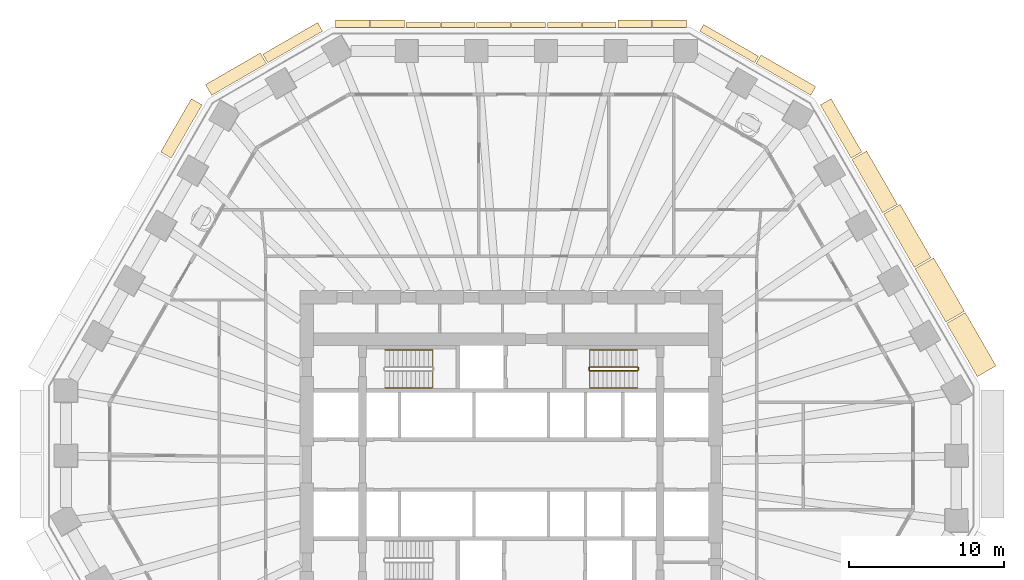
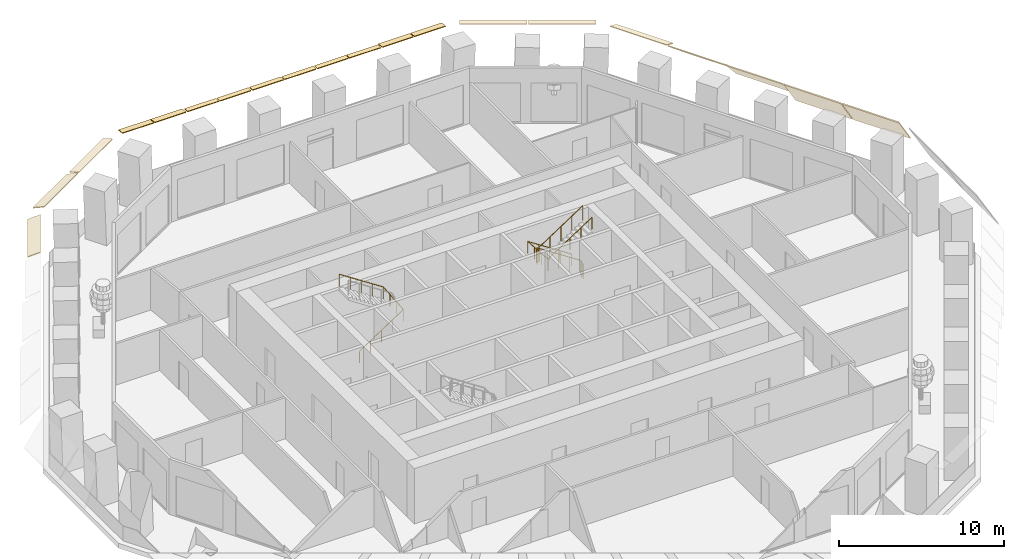
# One storey, part 11 of 13: 20 coverings, 3 railings.
"""IFC4 building model written with IfcOpenShell, lengths in metres."""

from ifc_helpers import new_model, si_unit, direction, frame, origin, origin_2d, place, context, subcontext, project, spatial, polyline, circle, outline, extrude, material, layer, layer_set, type_object, element, save


model = new_model("IFC4")

# Units and contexts
model_context = context("Model", 3, precision=1e-05, world=origin(), true_north=direction((0.0, 1.0)))
body_context = subcontext(model_context, "Body", "Model", "MODEL_VIEW")
ifc_project = project(units=[si_unit("LENGTHUNIT", "METRE"), si_unit("AREAUNIT", "SQUARE_METRE"), si_unit("VOLUMEUNIT", "CUBIC_METRE"), si_unit("PLANEANGLEUNIT", "RADIAN"), si_unit("MASSUNIT", "GRAM", prefix="KILO")], contexts=[model_context])

# Site, building, storey
site_placement = place(None, origin())
site = spatial("IfcSite", under=ifc_project, at=site_placement, CompositionType="ELEMENT")
building_placement = place(site_placement, origin())
building = spatial("IfcBuilding", under=site, at=building_placement, Name="Frailejon Research Tower", CompositionType="ELEMENT")
storey_placement = place(building_placement, frame((0.0, 0.0, 32.199951171875)))
storey = spatial("IfcBuildingStorey", under=building, at=storey_placement, Name="L07", CompositionType="ELEMENT", Elevation=32.199951171875)

# Coverings
ifc_material_1 = material(Name="Precast concrete C50/60", Category="concrete")
ifc_layer_1 = layer(ifc_material_1, 0.06005859375)
ifc_layer_set_1 = layer_set([ifc_layer_1], Name="Brim blade depth 1100")
covering_type_1 = type_object("IfcCoveringType", Name="Brim blade depth 1100", PredefinedType="CLADDING", material=ifc_layer_set_1)
covering_1_placement = place(storey_placement, frame((21.991455078125, 19.6923828125, 4.25), z_axis=(0.500010829996, -0.866019150993, 0.0), x_axis=(0.866019150993, 0.500010829996, 0.0)))
element("IfcCovering", 1, at=covering_1_placement, inside=storey, type_object=covering_type_1, Name="Brim blade L07", PredefinedType="CLADDING", context=body_context, shape_type="SweptSolid", body=[
    extrude(outline(polyline([(0.0, -0.078369140625), (1.10009765625, -1.001220703125), (1.10009765625, -0.923095703125), (0.0, 0.0), (0.0, -0.078369140625)])), origin(), (0.0, 0.0, 1.0), 3.972412109375),
])
ifc_material_2 = material(Name="Precast concrete C50/60", Category="concrete")
ifc_layer_2 = layer(ifc_material_2, 0.06005859375)
ifc_layer_set_2 = layer_set([ifc_layer_2], Name="Brim blade depth 1250")
covering_type_2 = type_object("IfcCoveringType", Name="Brim blade depth 1250", PredefinedType="CLADDING", material=ifc_layer_set_2)
covering_2_placement = place(storey_placement, frame((24.027587890625, 16.165771484375, 4.25), z_axis=(0.499992413042, -0.866029784072, 0.0), x_axis=(0.866029784072, 0.499992413042, 0.0)))
element("IfcCovering", 2, at=covering_2_placement, inside=storey, type_object=covering_type_2, Name="Brim blade L07", PredefinedType="CLADDING", context=body_context, shape_type="SweptSolid", body=[
    extrude(outline(polyline([(0.0, -0.0888671875), (1.25, -1.452880859375), (1.25, -1.364013671875), (0.0, 0.0), (0.0, -0.0888671875)])), origin(), (0.0, 0.0, 1.0), 3.972412109375),
])
ifc_material_3 = material(Name="Precast concrete C50/60", Category="concrete")
ifc_layer_3 = layer(ifc_material_3, 0.06005859375)
ifc_layer_set_3 = layer_set([ifc_layer_3], Name="Brim blade depth 1400")
covering_type_3 = type_object("IfcCoveringType", Name="Brim blade depth 1400", PredefinedType="CLADDING", material=ifc_layer_set_3)
for number, where, z_axis, x_axis, name in (
    (3, (28.099853515625, 9.1123046875, 4.25), (0.500010829996, -0.866019150993, 0.0), (0.866019150993, 0.500010829996, 0.0), "Brim blade L07"),
    (4, (26.063720703125, 12.638916015625, 4.25), (0.499992413042, -0.866029784072, 0.0), (0.866029784072, 0.499992413042, 0.0), "Brim blade L07"),
):
    element("IfcCovering", number, at=place(storey_placement, frame(where, z_axis=z_axis, x_axis=x_axis)), inside=storey, type_object=covering_type_3, Name=name, PredefinedType="CLADDING", context=body_context, shape_type="SweptSolid", body=[
        extrude(outline(polyline([(0.0, -0.1044921875), (1.39990234375, -2.10400390625), (1.39990234375, -1.99951171875), (0.0, 0.0), (0.0, -0.1044921875)])), origin(), (0.0, 0.0, 1.0), 3.972412109375),
    ])
ifc_material_4 = material(Name="Precast concrete C50/60", Category="concrete")
ifc_layer_4 = layer(ifc_material_4, 0.06005859375)
ifc_layer_set_4 = layer_set([ifc_layer_4], Name="Brim blade depth 350")
covering_type_4 = type_object("IfcCoveringType", Name="Brim blade depth 350", PredefinedType="CLADDING", material=ifc_layer_set_4)
for number, where, z_axis, x_axis, name in (
    (5, (4.581298828125, 28.199951171875, 4.25), (1.0, 0.0, 0.0), (0.0, 1.0, 0.0), "Brim blade L07"),
    (6, (2.32568359375, 28.199951171875, 4.25), (1.0, 0.0, 0.0), (0.0, 1.0, 0.0), "Brim blade L07"),
):
    element("IfcCovering", number, at=place(storey_placement, frame(where, z_axis=z_axis, x_axis=x_axis)), inside=storey, type_object=covering_type_4, Name=name, PredefinedType="CLADDING", context=body_context, shape_type="SweptSolid", body=[
        extrude(outline(polyline([(0.0, -0.06005859375), (0.35009765625, -0.06005859375), (0.35009765625, 0.0), (0.0, 0.0), (0.0, -0.06005859375)])), origin(), (0.0, 0.0, 1.0), 2.19580078125),
    ])
for number, where, z_axis, x_axis, name in (
    (7, (0.030029296875, 28.199951171875, 4.25), (1.0, 0.0, 0.0), (0.0, 1.0, 0.0), "Brim blade L07"),
    (8, (-2.2255859375, 28.199951171875, 4.25), (1.0, 0.0, 0.0), (0.0, 1.0, 0.0), "Brim blade L07"),
):
    element("IfcCovering", number, at=place(storey_placement, frame(where, z_axis=z_axis, x_axis=x_axis)), inside=storey, type_object=covering_type_4, Name=name, PredefinedType="CLADDING", context=body_context, shape_type="SweptSolid", body=[
        extrude(outline(polyline([(0.0, -0.06005859375), (0.35009765625, -0.06005859375), (0.35009765625, 0.0), (0.0, 0.0), (0.0, -0.06005859375)])), origin(), (0.0, 0.0, 1.0), 2.195556640625),
    ])
for number, where, z_axis, x_axis, name in (
    (9, (-4.521240234375, 28.199951171875, 4.25), (1.0, 0.0, 0.0), (0.0, 1.0, 0.0), "Brim blade L07"),
    (10, (-6.77685546875, 28.199951171875, 4.25), (1.0, 0.0, 0.0), (0.0, 1.0, 0.0), "Brim blade L07"),
):
    element("IfcCovering", number, at=place(storey_placement, frame(where, z_axis=z_axis, x_axis=x_axis)), inside=storey, type_object=covering_type_4, Name=name, PredefinedType="CLADDING", context=body_context, shape_type="SweptSolid", body=[
        extrude(outline(polyline([(0.0, -0.06005859375), (0.35009765625, -0.06005859375), (0.35009765625, 0.0), (0.0, 0.0), (0.0, -0.06005859375)])), origin(), (0.0, 0.0, 1.0), 2.19580078125),
    ])
ifc_material_5 = material(Name="Precast concrete C50/60", Category="concrete")
ifc_layer_5 = layer(ifc_material_5, 0.06005859375)
ifc_layer_set_5 = layer_set([ifc_layer_5], Name="Brim blade depth 500")
covering_type_5 = type_object("IfcCoveringType", Name="Brim blade depth 500", PredefinedType="CLADDING", material=ifc_layer_set_5)
covering_3_placement = place(storey_placement, frame((12.17138671875, 27.97412109375, 4.25), z_axis=(0.866021344981, -0.500007029989, 0.0), x_axis=(0.500007029989, 0.866021344981, 0.0)))
element("IfcCovering", 11, at=covering_3_placement, inside=storey, type_object=covering_type_5, Name="Brim blade L07", PredefinedType="CLADDING", context=body_context, shape_type="SweptSolid", body=[
    extrude(outline(polyline([(0.0, -0.060546875), (0.5, -0.130859375), (0.5, -0.0703125), (0.0, 0.0), (0.0, -0.060546875)])), origin(), (0.0, 0.0, 1.0), 4.08740234375),
])
for number, where, z_axis, x_axis, name in (
    (12, (9.132568359375, 28.199951171875, 4.25), (1.0, 0.0, 0.0), (0.0, 1.0, 0.0), "Brim blade L07"),
    (13, (6.876953125, 28.199951171875, 4.25), (1.0, 0.0, 0.0), (0.0, 1.0, 0.0), "Brim blade L07"),
    (14, (-9.072509765625, 28.199951171875, 4.25), (1.0, 0.0, 0.0), (0.0, 1.0, 0.0), "Brim blade L07"),
    (15, (-11.328125, 28.199951171875, 4.25), (1.0, 0.0, 0.0), (0.0, 1.0, 0.0), "Brim blade L07"),
):
    element("IfcCovering", number, at=place(storey_placement, frame(where, z_axis=z_axis, x_axis=x_axis)), inside=storey, type_object=covering_type_5, Name=name, PredefinedType="CLADDING", context=body_context, shape_type="SweptSolid", body=[
        extrude(outline(polyline([(0.0, -0.060546875), (0.5, -0.130859375), (0.5, -0.0703125), (0.0, 0.0), (0.0, -0.060546875)])), origin(), (0.0, 0.0, 1.0), 2.19580078125),
    ])
ifc_material_6 = material(Name="Precast concrete C50/60", Category="concrete")
ifc_layer_6 = layer(ifc_material_6, 0.06005859375)
ifc_layer_set_6 = layer_set([ifc_layer_6], Name="Brim blade depth 650")
covering_type_6 = type_object("IfcCoveringType", Name="Brim blade depth 650", PredefinedType="CLADDING", material=ifc_layer_set_6)
covering_4_placement = place(storey_placement, frame((15.798095703125, 25.880126953125, 4.25), z_axis=(0.866027315287, -0.499996689166, 0.0), x_axis=(0.499996689166, 0.866027315287, 0.0)))
element("IfcCovering", 16, at=covering_4_placement, inside=storey, type_object=covering_type_6, Name="Brim blade L07", PredefinedType="CLADDING", context=body_context, shape_type="SweptSolid", body=[
    extrude(outline(polyline([(0.0, -0.0625), (0.64990234375, -0.248779296875), (0.64990234375, -0.186279296875), (0.0, 0.0), (0.0, -0.0625)])), origin(), (0.0, 0.0, 1.0), 4.087646484375),
])
covering_5_placement = place(storey_placement, frame((-15.71142578125, 25.93017578125, 4.25), z_axis=(0.866021344981, 0.500007029989, 0.0), x_axis=(-0.500007029989, 0.866021344981, 0.0)))
element("IfcCovering", 17, at=covering_5_placement, inside=storey, type_object=covering_type_6, Name="Brim blade L07", PredefinedType="CLADDING", context=body_context, shape_type="SweptSolid", body=[
    extrude(outline(polyline([(0.0, -0.0625), (0.64990234375, -0.248779296875), (0.64990234375, -0.186279296875), (0.0, 0.0), (0.0, -0.0625)])), origin(), (0.0, 0.0, 1.0), 4.08740234375),
])
ifc_material_7 = material(Name="Precast concrete C50/60", Category="concrete")
ifc_layer_7 = layer(ifc_material_7, 0.06005859375)
ifc_layer_set_7 = layer_set([ifc_layer_7], Name="Brim blade depth 800")
covering_type_7 = type_object("IfcCoveringType", Name="Brim blade depth 800", PredefinedType="CLADDING", material=ifc_layer_set_7)
covering_6_placement = place(storey_placement, frame((19.955322265625, 23.218994140625, 4.25), z_axis=(0.499992413042, -0.866029784072, 0.0), x_axis=(0.866029784072, 0.499992413042, 0.0)))
element("IfcCovering", 18, at=covering_6_placement, inside=storey, type_object=covering_type_7, Name="Brim blade L07", PredefinedType="CLADDING", context=body_context, shape_type="SweptSolid", body=[
    extrude(outline(polyline([(0.0, -0.065673828125), (0.800048828125, -0.421875), (0.800048828125, -0.356201171875), (0.0, 0.0), (0.0, -0.065673828125)])), origin(), (0.0, 0.0, 1.0), 3.972412109375),
])
covering_7_placement = place(storey_placement, frame((-19.337890625, 23.83642578125, 4.25), z_axis=(0.866027315287, 0.499996689166, 0.0), x_axis=(-0.499996689166, 0.866027315287, 0.0)))
element("IfcCovering", 19, at=covering_7_placement, inside=storey, type_object=covering_type_7, Name="Brim blade L07", PredefinedType="CLADDING", context=body_context, shape_type="SweptSolid", body=[
    extrude(outline(polyline([(0.0, -0.065673828125), (0.800048828125, -0.421875), (0.800048828125, -0.356201171875), (0.0, 0.0), (0.0, -0.065673828125)])), origin(), (0.0, 0.0, 1.0), 4.087646484375),
])
covering_8_placement = place(storey_placement, frame((-21.94140625, 19.779052734375, 4.25), z_axis=(0.499992413042, 0.866029784072, 0.0), x_axis=(-0.866029784072, 0.499992413042, 0.0)))
element("IfcCovering", 20, at=covering_8_placement, inside=storey, type_object=covering_type_7, Name="Brim blade L07", PredefinedType="CLADDING", context=body_context, shape_type="SweptSolid", body=[
    extrude(outline(polyline([(0.0, -0.065673828125), (0.800048828125, -0.421875), (0.800048828125, -0.356201171875), (0.0, 0.0), (0.0, -0.065673828125)])), origin(), (0.0, 0.0, 1.0), 3.972412109375),
])

# Railings
ifc_material_8 = material(Name="Stainless steel", Category="steel")
railing_type_1 = type_object("IfcRailingType", Name="Stair guard 1100", PredefinedType="GUARDRAIL", material=ifc_material_8)
railing_1_placement = place(storey_placement, frame((8.199951171875, 6.10009765625, 0.0)))
element("IfcRailing", 21, at=railing_1_placement, inside=storey, type_object=railing_type_1, Name="L07 ST3 stair guard 1", PredefinedType="GUARDRAIL", context=body_context, shape_type="SweptSolid", body=[
    extrude(circle(Radius=0.02392578125, at=origin_2d()), frame((0.0, 0.0, 1.076171875), z_axis=(0.0, 1.0, 0.0), x_axis=(-1.0, 0.0, 0.0)), (0.0, 0.0, 1.0), 0.14990234375),
    extrude(circle(Radius=0.02392578125, at=origin_2d()), frame((0.0, 0.14990234375, 1.076171875), z_axis=(-0.254653276557, 0.254653276557, 0.932900539971), x_axis=(-0.707106781187, -0.707106781187, 0.0)), (0.0, 0.0, 1.0), 0.196533203125),
    extrude(circle(Radius=0.02392578125, at=origin_2d()), frame((-0.050048828125, 0.199951171875, 1.25927734375), z_axis=(-0.836613101238, 0.0, 0.547794230379), x_axis=(0.0, -1.0, 0.0)), (0.0, 0.0, 1.0), 3.681396484375),
    extrude(circle(Radius=0.02392578125, at=origin_2d()), frame((-3.1298828125, 0.199951171875, 3.27587890625), z_axis=(-0.707106781187, -0.707106781187, 0.0), x_axis=(0.707106781187, -0.707106781187, 0.0)), (0.0, 0.0, 1.0), 0.07080078125),
    extrude(circle(Radius=0.02392578125, at=origin_2d()), frame((-3.179931640625, 0.14990234375, 3.27587890625), z_axis=(0.0, -1.0, 0.0), x_axis=(1.0, 0.0, 0.0)), (0.0, 0.0, 1.0), 0.14990234375),
    extrude(circle(Radius=0.02392578125, at=origin_2d()), frame((-3.179931640625, 0.0, 3.27587890625), z_axis=(0.254653276557, -0.254653276557, 0.932900539971), x_axis=(0.707106781187, 0.707106781187, 0.0)), (0.0, 0.0, 1.0), 0.196533203125),
    extrude(circle(Radius=0.02392578125, at=origin_2d()), frame((-3.1298828125, -0.050048828125, 3.45947265625), z_axis=(0.836582707638, 0.0, 0.547840645882), x_axis=(0.0, 1.0, 0.0)), (0.0, 0.0, 1.0), 3.681396484375),
    extrude(circle(Radius=0.02099609375, at=origin_2d()), origin(), (0.0, 0.0, 1.0), 1.052001953125),
    extrude(circle(Radius=0.02099609375, at=origin_2d()), frame((0.0, 0.14990234375, 0.0)), (0.0, 0.0, 1.0), 1.052001953125),
    extrude(circle(Radius=0.02099609375, at=origin_2d()), frame((-0.050048828125, 0.199951171875, 0.183349609375)), (0.0, 0.0, 1.0), 1.052001953125),
    extrude(circle(Radius=0.02099609375, at=origin_2d()), frame((-0.820068359375, 0.199951171875, 0.6875)), (0.0, 0.0, 1.0), 1.052001953125),
    extrude(circle(Radius=0.02099609375, at=origin_2d()), frame((-1.58984375, 0.199951171875, 1.191650390625)), (0.0, 0.0, 1.0), 1.052001953125),
    extrude(circle(Radius=0.02099609375, at=origin_2d()), frame((-2.35986328125, 0.199951171875, 1.69580078125)), (0.0, 0.0, 1.0), 1.052001953125),
    extrude(circle(Radius=0.02099609375, at=origin_2d()), frame((-3.1298828125, 0.199951171875, 2.199951171875)), (0.0, 0.0, 1.0), 1.052001953125),
    extrude(circle(Radius=0.02099609375, at=origin_2d()), frame((-3.179931640625, 0.14990234375, 2.199951171875)), (0.0, 0.0, 1.0), 1.052001953125),
    extrude(circle(Radius=0.02099609375, at=origin_2d()), frame((-3.179931640625, 0.0, 2.199951171875)), (0.0, 0.0, 1.0), 1.052001953125),
    extrude(circle(Radius=0.02099609375, at=origin_2d()), frame((-3.1298828125, -0.050048828125, 2.38330078125)), (0.0, 0.0, 1.0), 1.052001953125),
    extrude(circle(Radius=0.02099609375, at=origin_2d()), frame((-2.35986328125, -0.050048828125, 2.887451171875)), (0.0, 0.0, 1.0), 1.052001953125),
    extrude(circle(Radius=0.02099609375, at=origin_2d()), frame((-1.58984375, -0.050048828125, 3.3916015625)), (0.0, 0.0, 1.0), 1.052001953125),
    extrude(circle(Radius=0.02099609375, at=origin_2d()), frame((-0.820068359375, -0.050048828125, 3.89599609375)), (0.0, 0.0, 1.0), 1.052001953125),
    extrude(circle(Radius=0.02099609375, at=origin_2d()), frame((-0.050048828125, -0.050048828125, 4.400146484375)), (0.0, 0.0, 1.0), 1.052001953125),
])
ifc_material_9 = material(Name="Stainless steel", Category="steel")
railing_type_2 = type_object("IfcRailingType", Name="Stair handrail 900", PredefinedType="HANDRAIL", material=ifc_material_9)
railing_2_placement = place(storey_placement, frame((-8.14990234375, 4.949951171875, 0.183349609375)))
element("IfcRailing", 22, at=railing_2_placement, inside=storey, type_object=railing_type_2, Name="L07 ST1 stair handrail 1", PredefinedType="HANDRAIL", context=body_context, shape_type="SweptSolid", body=[
    extrude(circle(Radius=0.02392578125, at=origin_2d()), frame((0.0, 0.0, 0.8759765625), z_axis=(0.836613101238, 0.0, 0.547794230379), x_axis=(0.0, 1.0, 0.0)), (0.0, 0.0, 1.0), 3.681396484375),
    extrude(circle(Radius=0.02392578125, at=origin_2d()), frame((3.079833984375, 0.0, 2.892578125), z_axis=(0.0, 0.99721134034, 0.074629368868), x_axis=(-1.0, 0.0, 0.0)), (0.0, 0.0, 1.0), 2.456787109375),
    extrude(circle(Radius=0.02392578125, at=origin_2d()), frame((3.079833984375, 2.449951171875, 3.07568359375), z_axis=(-0.836582707638, 0.0, 0.547840645882), x_axis=(0.0, -1.0, 0.0)), (0.0, 0.0, 1.0), 3.681396484375),
    extrude(circle(Radius=0.02099609375, at=origin_2d()), origin(), (0.0, 0.0, 1.0), 0.851806640625),
    extrude(circle(Radius=0.02099609375, at=origin_2d()), frame((0.77001953125, 0.0, 0.504150390625)), (0.0, 0.0, 1.0), 0.851806640625),
    extrude(circle(Radius=0.02099609375, at=origin_2d()), frame((1.5400390625, 0.0, 1.00830078125)), (0.0, 0.0, 1.0), 0.851806640625),
    extrude(circle(Radius=0.02099609375, at=origin_2d()), frame((2.309814453125, 0.0, 1.512451171875)), (0.0, 0.0, 1.0), 0.851806640625),
    extrude(circle(Radius=0.02099609375, at=origin_2d()), frame((3.079833984375, 0.0, 2.0166015625)), (0.0, 0.0, 1.0), 0.851806640625),
    extrude(circle(Radius=0.02099609375, at=origin_2d()), frame((3.079833984375, 0.816650390625, 2.07763671875)), (0.0, 0.0, 1.0), 0.851806640625),
    extrude(circle(Radius=0.02099609375, at=origin_2d()), frame((3.079833984375, 1.63330078125, 2.138916015625)), (0.0, 0.0, 1.0), 0.851806640625),
    extrude(circle(Radius=0.02099609375, at=origin_2d()), frame((3.079833984375, 2.449951171875, 2.199951171875)), (0.0, 0.0, 1.0), 0.851806640625),
    extrude(circle(Radius=0.02099609375, at=origin_2d()), frame((2.309814453125, 2.449951171875, 2.7041015625)), (0.0, 0.0, 1.0), 0.851806640625),
    extrude(circle(Radius=0.02099609375, at=origin_2d()), frame((1.5400390625, 2.449951171875, 3.20849609375)), (0.0, 0.0, 1.0), 0.851806640625),
    extrude(circle(Radius=0.02099609375, at=origin_2d()), frame((0.77001953125, 2.449951171875, 3.712646484375)), (0.0, 0.0, 1.0), 0.851806640625),
    extrude(circle(Radius=0.02099609375, at=origin_2d()), frame((0.0, 2.449951171875, 4.216796875)), (0.0, 0.0, 1.0), 0.851806640625),
])
railing_3_placement = place(storey_placement, frame((8.14990234375, 7.39990234375, 0.183349609375)))
element("IfcRailing", 23, at=railing_3_placement, inside=storey, type_object=railing_type_2, Name="L07 ST3 stair handrail 1", PredefinedType="HANDRAIL", context=body_context, shape_type="SweptSolid", body=[
    extrude(circle(Radius=0.02392578125, at=origin_2d()), frame((0.0, 0.0, 0.8759765625), z_axis=(-0.836613101238, 0.0, 0.547794230379), x_axis=(0.0, -1.0, 0.0)), (0.0, 0.0, 1.0), 3.681396484375),
    extrude(circle(Radius=0.02392578125, at=origin_2d()), frame((-3.079833984375, 0.0, 2.892578125), z_axis=(0.0, -0.99721134034, 0.074629368868), x_axis=(1.0, 0.0, 0.0)), (0.0, 0.0, 1.0), 2.456787109375),
    extrude(circle(Radius=0.02392578125, at=origin_2d()), frame((-3.079833984375, -2.449951171875, 3.07568359375), z_axis=(0.836582707638, 0.0, 0.547840645882), x_axis=(0.0, 1.0, 0.0)), (0.0, 0.0, 1.0), 3.681396484375),
    extrude(circle(Radius=0.02099609375, at=origin_2d()), origin(), (0.0, 0.0, 1.0), 0.851806640625),
    extrude(circle(Radius=0.02099609375, at=origin_2d()), frame((-0.77001953125, 0.0, 0.504150390625)), (0.0, 0.0, 1.0), 0.851806640625),
    extrude(circle(Radius=0.02099609375, at=origin_2d()), frame((-1.5400390625, 0.0, 1.00830078125)), (0.0, 0.0, 1.0), 0.851806640625),
    extrude(circle(Radius=0.02099609375, at=origin_2d()), frame((-2.309814453125, 0.0, 1.512451171875)), (0.0, 0.0, 1.0), 0.851806640625),
    extrude(circle(Radius=0.02099609375, at=origin_2d()), frame((-3.079833984375, 0.0, 2.0166015625)), (0.0, 0.0, 1.0), 0.851806640625),
    extrude(circle(Radius=0.02099609375, at=origin_2d()), frame((-3.079833984375, -0.816650390625, 2.07763671875)), (0.0, 0.0, 1.0), 0.851806640625),
    extrude(circle(Radius=0.02099609375, at=origin_2d()), frame((-3.079833984375, -1.63330078125, 2.138916015625)), (0.0, 0.0, 1.0), 0.851806640625),
    extrude(circle(Radius=0.02099609375, at=origin_2d()), frame((-3.079833984375, -2.449951171875, 2.199951171875)), (0.0, 0.0, 1.0), 0.851806640625),
    extrude(circle(Radius=0.02099609375, at=origin_2d()), frame((-2.309814453125, -2.449951171875, 2.7041015625)), (0.0, 0.0, 1.0), 0.851806640625),
    extrude(circle(Radius=0.02099609375, at=origin_2d()), frame((-1.5400390625, -2.449951171875, 3.20849609375)), (0.0, 0.0, 1.0), 0.851806640625),
    extrude(circle(Radius=0.02099609375, at=origin_2d()), frame((-0.77001953125, -2.449951171875, 3.712646484375)), (0.0, 0.0, 1.0), 0.851806640625),
    extrude(circle(Radius=0.02099609375, at=origin_2d()), frame((0.0, -2.449951171875, 4.216796875)), (0.0, 0.0, 1.0), 0.851806640625),
])

save(model, "model.ifc")
